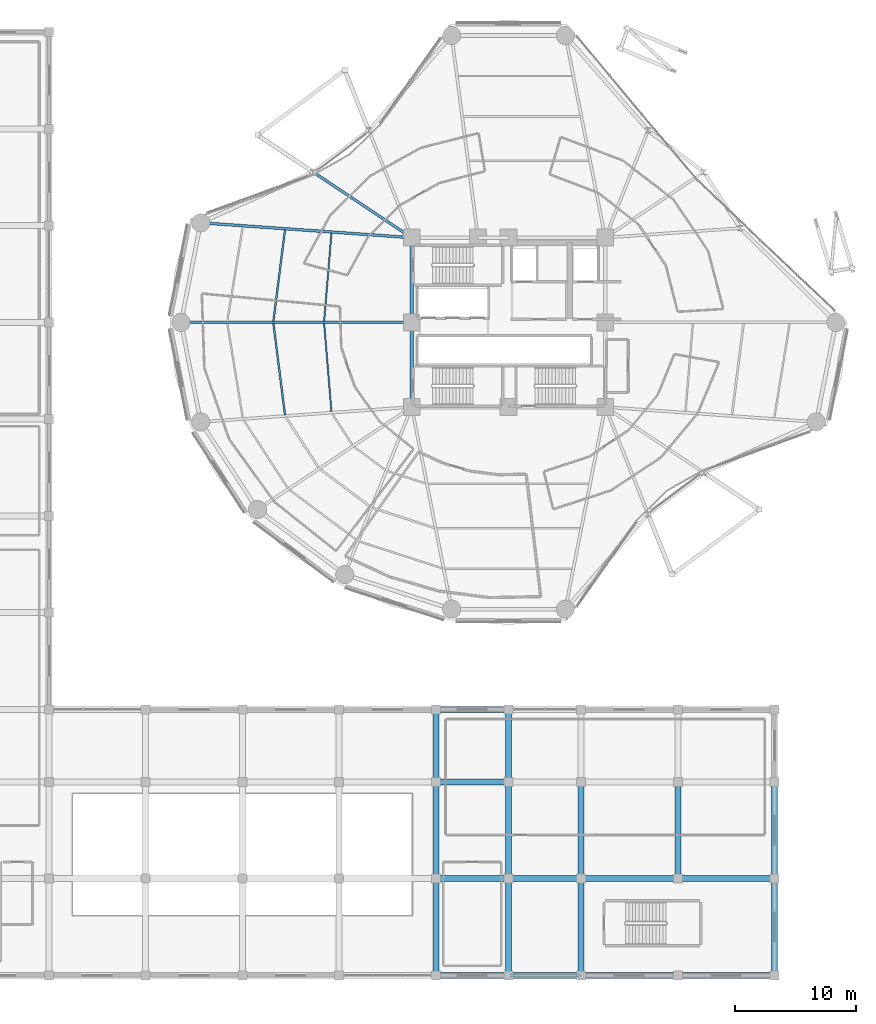
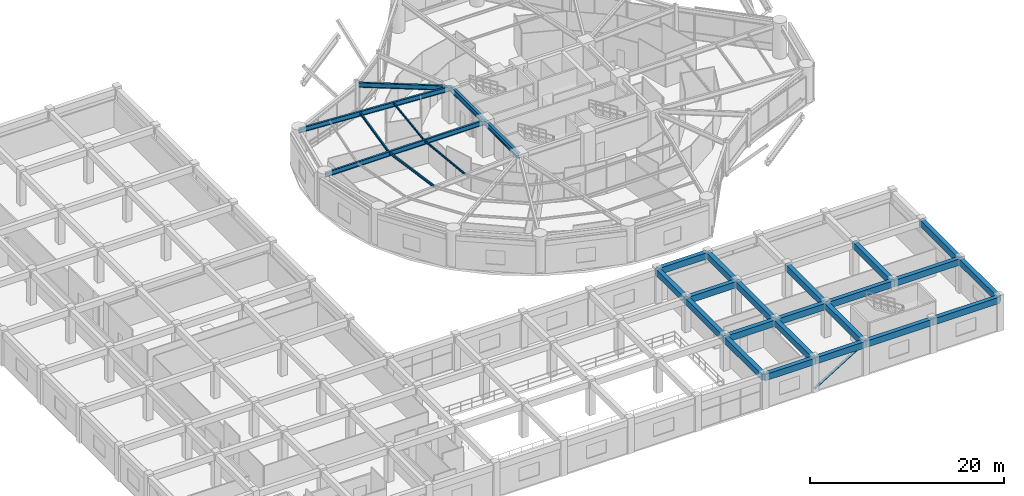
# One storey, part 16 of 55: 30 beams, 1 member.
"""IFC4 building model written with IfcOpenShell, lengths in metres."""

from ifc_helpers import new_model, si_unit, direction, frame, origin, origin_2d, place, context, subcontext, project, spatial, rectangle, hollow_circle, i_section, extrude, material, material_profile, profile_set, type_object, element, save


model = new_model("IFC4")

# Units and contexts
model_context = context("Model", 3, precision=1e-05, world=origin(), true_north=direction((0.0, 1.0)))
body_context = subcontext(model_context, "Body", "Model", "MODEL_VIEW")
ifc_project = project(units=[si_unit("LENGTHUNIT", "METRE"), si_unit("AREAUNIT", "SQUARE_METRE"), si_unit("VOLUMEUNIT", "CUBIC_METRE"), si_unit("PLANEANGLEUNIT", "RADIAN"), si_unit("MASSUNIT", "GRAM", prefix="KILO")], contexts=[model_context])

# Site, building, storey
site_placement = place(None, origin())
site = spatial("IfcSite", under=ifc_project, at=site_placement, CompositionType="ELEMENT")
building_placement = place(site_placement, origin())
building = spatial("IfcBuilding", under=site, at=building_placement, Name="Kelanora Arch Commons", CompositionType="ELEMENT")
storey_placement = place(building_placement, frame((0.0, 0.0, 4.5)))
storey = spatial("IfcBuildingStorey", under=building, at=storey_placement, Name="L01", CompositionType="ELEMENT", Elevation=4.5)

# Beams
ifc_material_1 = material(Name="Steel S355", Category="steel")
ifc_material_profile_1 = material_profile(ifc_material_1, i_section(OverallWidth=0.300048828125, OverallDepth=0.699951171875, WebThickness=0.01708984375, FlangeThickness=0.031982421875, FilletRadius=0.027099609375, at=origin_2d()), Name="HEB700")
ifc_profile_set_1 = profile_set([ifc_material_profile_1], Name="Steel S355")
beam_type_1 = type_object("IfcBeamType", Name="BM-CORE-HDR", PredefinedType="BEAM", material=ifc_profile_set_1)
for number, where, z_axis, x_axis, name in (
    (1, (66.0, 65.0, 3.85009765625), (0.0, -1.0, 0.0), (1.0, 0.0, 0.0), "Core Header Beam 08 L01"),
    (2, (66.0, 58.0, 3.85009765625), (0.0, -1.0, 0.0), (1.0, 0.0, 0.0), "Core Header Beam 09 L01"),
):
    element("IfcBeam", number, at=place(storey_placement, frame(where, z_axis=z_axis, x_axis=x_axis)), inside=storey, type_object=beam_type_1, Name=name, PredefinedType="BEAM", context=body_context, shape_type="SweptSolid", body=[
        extrude(i_section(OverallWidth=0.300048828125, OverallDepth=0.699951171875, WebThickness=0.01708984375, FlangeThickness=0.031982421875, FilletRadius=0.027099609375, at=origin_2d()), origin(), (0.0, 0.0, 1.0), 7.0),
    ])
ifc_material_profile_2 = material_profile(ifc_material_1, i_section(OverallWidth=0.14990234375, OverallDepth=0.300048828125, WebThickness=0.007080078125, FlangeThickness=0.0107421875, FilletRadius=0.014892578125, at=origin_2d()), Name="IPE300")
ifc_profile_set_2 = profile_set([ifc_material_profile_2], Name="Steel S355")
beam_type_2 = type_object("IfcBeamType", Name="BM-JST-01", PredefinedType="JOIST", material=ifc_profile_set_2)
for number, where, z_axis, x_axis, name in (
    (3, (55.521240234375, 65.6572265625, 4.050048828125), (-0.125565841651, -0.992085288375, 0.0), (0.992085288375, -0.125565841651, 0.0), "Secondary Chord Joist BJB-16 L01"),
    (4, (54.562744140625, 57.915771484375, 4.050048828125), (0.125565841651, -0.992085288375, 0.0), (0.992085288375, 0.125565841651, 0.0), "Secondary Chord Joist BJB-18 L01"),
):
    element("IfcBeam", number, at=place(storey_placement, frame(where, z_axis=z_axis, x_axis=x_axis)), inside=storey, type_object=beam_type_2, Name=name, PredefinedType="JOIST", context=body_context, shape_type="SweptSolid", body=[
        extrude(i_section(OverallWidth=0.14990234375, OverallDepth=0.300048828125, WebThickness=0.007080078125, FlangeThickness=0.0107421875, FilletRadius=0.014892578125, at=origin_2d()), origin(), (0.0, 0.0, 1.0), 7.63330078125),
    ])
ifc_material_profile_3 = material_profile(ifc_material_1, i_section(OverallWidth=0.1201171875, OverallDepth=0.239990234375, WebThickness=0.006103515625, FlangeThickness=0.009765625, FilletRadius=0.014892578125, at=origin_2d()), Name="IPE240")
ifc_profile_set_3 = profile_set([ifc_material_profile_3], Name="Steel S355")
beam_type_3 = type_object("IfcBeamType", Name="BM-JST-02", PredefinedType="JOIST", material=ifc_profile_set_3)
for number, where, z_axis, x_axis, name in (
    (5, (59.363037109375, 65.385009765625, 4.080078125), (-0.082786209886, -0.996567330115, 0.0), (0.996567330115, -0.082786209886, 0.0), "Secondary Chord Joist BJA-16 L01"),
    (6, (58.756591796875, 57.915283203125, 4.080078125), (0.082786209886, -0.996567330115, 0.0), (0.996567330115, 0.082786209886, 0.0), "Secondary Chord Joist BJA-18 L01"),
):
    element("IfcBeam", number, at=place(storey_placement, frame(where, z_axis=z_axis, x_axis=x_axis)), inside=storey, type_object=beam_type_3, Name=name, PredefinedType="JOIST", context=body_context, shape_type="SweptSolid", body=[
        extrude(i_section(OverallWidth=0.1201171875, OverallDepth=0.239990234375, WebThickness=0.006103515625, FlangeThickness=0.009765625, FilletRadius=0.014892578125, at=origin_2d()), origin(), (0.0, 0.0, 1.0), 7.325439453125),
    ])
ifc_material_2 = material(Name="Concrete C40/50", Category="concrete")
ifc_material_profile_4 = material_profile(ifc_material_2, rectangle(XDim=0.5, YDim=0.800048828125, at=origin_2d()), Name="RCB500x800")
ifc_profile_set_4 = profile_set([ifc_material_profile_4], Name="Concrete C40/50")
beam_type_4 = type_object("IfcBeamType", Name="BM-MKT-RC1", PredefinedType="BEAM", material=ifc_profile_set_4)
beam_1_placement = place(storey_placement, frame((68.0, 4.0, 3.840087890625), z_axis=(1.0, 0.0, 0.0), x_axis=(0.0, 1.0, 0.0)))
element("IfcBeam", 7, at=beam_1_placement, inside=storey, type_object=beam_type_4, Name="Market/Basement Frame Beam 115 L01", PredefinedType="BEAM", context=body_context, shape_type="SweptSolid", body=[
    extrude(rectangle(XDim=0.5, YDim=0.800048828125, at=origin_2d()), origin(), (0.0, 0.0, 1.0), 6.0),
])
beam_2_placement = place(storey_placement, frame((68.0, 4.0, 3.840087890625), z_axis=(0.0, 1.0, 0.0), x_axis=(-1.0, 0.0, 0.0)))
element("IfcBeam", 8, at=beam_2_placement, inside=storey, type_object=beam_type_4, Name="Market/Basement Frame Beam 116 L01", PredefinedType="BEAM", context=body_context, shape_type="SweptSolid", body=[
    extrude(rectangle(XDim=0.5, YDim=0.800048828125, at=origin_2d()), origin(), (0.0, 0.0, 1.0), 8.0),
])
beam_3_placement = place(storey_placement, frame((68.0, 12.0, 3.840087890625), z_axis=(1.0, 0.0, 0.0), x_axis=(0.0, 1.0, 0.0)))
element("IfcBeam", 9, at=beam_3_placement, inside=storey, type_object=beam_type_4, Name="Market/Basement Frame Beam 117 L01", PredefinedType="BEAM", context=body_context, shape_type="SweptSolid", body=[
    extrude(rectangle(XDim=0.5, YDim=0.800048828125, at=origin_2d()), origin(), (0.0, 0.0, 1.0), 6.0),
])
beam_4_placement = place(storey_placement, frame((68.0, 12.0, 3.840087890625), z_axis=(0.0, 1.0, 0.0), x_axis=(-1.0, 0.0, 0.0)))
element("IfcBeam", 10, at=beam_4_placement, inside=storey, type_object=beam_type_4, Name="Market/Basement Frame Beam 118 L01", PredefinedType="BEAM", context=body_context, shape_type="SweptSolid", body=[
    extrude(rectangle(XDim=0.5, YDim=0.800048828125, at=origin_2d()), origin(), (0.0, 0.0, 1.0), 8.0),
])
for number, where, z_axis, x_axis, name in (
    (11, (68.0, 20.0, 3.840087890625), (1.0, 0.0, 0.0), (0.0, 1.0, 0.0), "Market/Basement Frame Beam 119 L01"),
    (12, (68.0, 20.0, 3.840087890625), (0.0, 1.0, 0.0), (-1.0, 0.0, 0.0), "Market/Basement Frame Beam 120 L01"),
    (13, (68.0, 26.0, 3.840087890625), (1.0, 0.0, 0.0), (0.0, 1.0, 0.0), "Market/Basement Frame Beam 121 L01"),
    (14, (74.0, 4.0, 3.840087890625), (1.0, 0.0, 0.0), (0.0, 1.0, 0.0), "Market/Basement Frame Beam 122 L01"),
):
    element("IfcBeam", number, at=place(storey_placement, frame(where, z_axis=z_axis, x_axis=x_axis)), inside=storey, type_object=beam_type_4, Name=name, PredefinedType="BEAM", context=body_context, shape_type="SweptSolid", body=[
        extrude(rectangle(XDim=0.5, YDim=0.800048828125, at=origin_2d()), origin(), (0.0, 0.0, 1.0), 6.0),
    ])
beam_5_placement = place(storey_placement, frame((74.0, 4.0, 3.840087890625), z_axis=(0.0, 1.0, 0.0), x_axis=(-1.0, 0.0, 0.0)))
element("IfcBeam", 15, at=beam_5_placement, inside=storey, type_object=beam_type_4, Name="Market/Basement Frame Beam 123 L01", PredefinedType="BEAM", context=body_context, shape_type="SweptSolid", body=[
    extrude(rectangle(XDim=0.5, YDim=0.800048828125, at=origin_2d()), origin(), (0.0, 0.0, 1.0), 8.0),
])
beam_6_placement = place(storey_placement, frame((74.0, 12.0, 3.840087890625), z_axis=(1.0, 0.0, 0.0), x_axis=(0.0, 1.0, 0.0)))
element("IfcBeam", 16, at=beam_6_placement, inside=storey, type_object=beam_type_4, Name="Market/Basement Frame Beam 124 L01", PredefinedType="BEAM", context=body_context, shape_type="SweptSolid", body=[
    extrude(rectangle(XDim=0.5, YDim=0.800048828125, at=origin_2d()), origin(), (0.0, 0.0, 1.0), 6.0),
])
beam_7_placement = place(storey_placement, frame((74.0, 12.0, 3.840087890625), z_axis=(0.0, 1.0, 0.0), x_axis=(-1.0, 0.0, 0.0)))
element("IfcBeam", 17, at=beam_7_placement, inside=storey, type_object=beam_type_4, Name="Market/Basement Frame Beam 125 L01", PredefinedType="BEAM", context=body_context, shape_type="SweptSolid", body=[
    extrude(rectangle(XDim=0.5, YDim=0.800048828125, at=origin_2d()), origin(), (0.0, 0.0, 1.0), 8.0),
])
beam_8_placement = place(storey_placement, frame((74.0, 20.0, 3.840087890625), z_axis=(0.0, 1.0, 0.0), x_axis=(-1.0, 0.0, 0.0)))
element("IfcBeam", 18, at=beam_8_placement, inside=storey, type_object=beam_type_4, Name="Market/Basement Frame Beam 127 L01", PredefinedType="BEAM", context=body_context, shape_type="SweptSolid", body=[
    extrude(rectangle(XDim=0.5, YDim=0.800048828125, at=origin_2d()), origin(), (0.0, 0.0, 1.0), 6.0),
])
for number, where, z_axis, x_axis, name in (
    (19, (80.0, 4.0, 3.840087890625), (1.0, 0.0, 0.0), (0.0, 1.0, 0.0), "Market/Basement Frame Beam 129 L01"),
    (20, (80.0, 4.0, 3.840087890625), (0.0, 1.0, 0.0), (-1.0, 0.0, 0.0), "Market/Basement Frame Beam 130 L01"),
    (21, (80.0, 12.0, 3.840087890625), (1.0, 0.0, 0.0), (0.0, 1.0, 0.0), "Market/Basement Frame Beam 131 L01"),
    (22, (80.0, 12.0, 3.840087890625), (0.0, 1.0, 0.0), (-1.0, 0.0, 0.0), "Market/Basement Frame Beam 132 L01"),
    (23, (88.0, 4.0, 3.840087890625), (1.0, 0.0, 0.0), (0.0, 1.0, 0.0), "Market/Basement Frame Beam 136 L01"),
    (24, (88.0, 12.0, 3.840087890625), (1.0, 0.0, 0.0), (0.0, 1.0, 0.0), "Market/Basement Frame Beam 137 L01"),
    (25, (88.0, 12.0, 3.840087890625), (0.0, 1.0, 0.0), (-1.0, 0.0, 0.0), "Market/Basement Frame Beam 138 L01"),
    (26, (96.0, 4.0, 3.840087890625), (0.0, 1.0, 0.0), (-1.0, 0.0, 0.0), "Market/Basement Frame Beam 142 L01"),
    (27, (96.0, 12.0, 3.840087890625), (0.0, 1.0, 0.0), (-1.0, 0.0, 0.0), "Market/Basement Frame Beam 143 L01"),
):
    element("IfcBeam", number, at=place(storey_placement, frame(where, z_axis=z_axis, x_axis=x_axis)), inside=storey, type_object=beam_type_4, Name=name, PredefinedType="BEAM", context=body_context, shape_type="SweptSolid", body=[
        extrude(rectangle(XDim=0.5, YDim=0.800048828125, at=origin_2d()), origin(), (0.0, 0.0, 1.0), 8.0),
    ])
ifc_material_profile_5 = material_profile(ifc_material_1, i_section(OverallWidth=0.219970703125, OverallDepth=0.60009765625, WebThickness=0.011962890625, FlangeThickness=0.01904296875, FilletRadius=0.02392578125, at=origin_2d()), Name="IPE600")
ifc_profile_set_5 = profile_set([ifc_material_profile_5], Name="Steel S355")
beam_type_5 = type_object("IfcBeamType", Name="BM-RAD-Z1", PredefinedType="BEAM", material=ifc_profile_set_5)
beam_9_placement = place(storey_placement, frame((66.0, 65.0, 3.89990234375), z_axis=(-0.832598981909, 0.553876281605, 0.0), x_axis=(-0.553876281605, -0.832598981909, 0.0)))
element("IfcBeam", 28, at=beam_9_placement, inside=storey, type_object=beam_type_5, Name="Radial Floor Girder BR-14 L01", PredefinedType="BEAM", context=body_context, shape_type="SweptSolid", body=[
    extrude(i_section(OverallWidth=0.219970703125, OverallDepth=0.60009765625, WebThickness=0.011962890625, FlangeThickness=0.01904296875, FilletRadius=0.02392578125, at=origin_2d()), origin(), (0.0, 0.0, 1.0), 9.576416015625),
])
beam_10_placement = place(storey_placement, frame((66.0, 65.0, 3.89990234375), z_axis=(-0.997500683472, 0.070656821848, 0.0), x_axis=(-0.070656821848, -0.997500683472, 0.0)))
element("IfcBeam", 29, at=beam_10_placement, inside=storey, type_object=beam_type_5, Name="Radial Floor Girder BR-16 L01", PredefinedType="BEAM", context=body_context, shape_type="SweptSolid", body=[
    extrude(i_section(OverallWidth=0.219970703125, OverallDepth=0.60009765625, WebThickness=0.011962890625, FlangeThickness=0.01904296875, FilletRadius=0.02392578125, at=origin_2d()), origin(), (0.0, 0.0, 1.0), 17.49072265625),
])
beam_11_placement = place(storey_placement, frame((66.0, 58.0, 3.89990234375), z_axis=(-1.0, 0.0, 0.0), x_axis=(0.0, -1.0, 0.0)))
element("IfcBeam", 30, at=beam_11_placement, inside=storey, type_object=beam_type_5, Name="Radial Floor Girder BR-18 L01", PredefinedType="BEAM", context=body_context, shape_type="SweptSolid", body=[
    extrude(i_section(OverallWidth=0.219970703125, OverallDepth=0.60009765625, WebThickness=0.011962890625, FlangeThickness=0.01904296875, FilletRadius=0.02392578125, at=origin_2d()), origin(), (0.0, 0.0, 1.0), 19.080078125),
])

# Member
ifc_material_profile_6 = material_profile(ifc_material_1, hollow_circle(Radius=0.136474609375, WallThickness=0.012451171875, at=origin_2d()), Name="CHS273x12.5")
ifc_profile_set_6 = profile_set([ifc_material_profile_6], Name="Steel S355")
member_type = type_object("IfcMemberType", Name="MEM-MKT-BRACE", PredefinedType="BRACE", material=ifc_profile_set_6)
member_placement = place(storey_placement, frame((74.0, 4.0, 0.25), z_axis=(0.851173964427, 0.0, 0.524883684525), x_axis=(0.0, 1.0, 0.0)))
element("IfcMember", 31, at=member_placement, inside=storey, type_object=member_type, Name="Market Hall Lateral Brace 02 L01", PredefinedType="BRACE", context=body_context, shape_type="SweptSolid", body=[
    extrude(hollow_circle(Radius=0.136474609375, WallThickness=0.012451171875, at=origin_2d()), origin(), (0.0, 0.0, 1.0), 7.049072265625),
])

save(model, "model.ifc")
